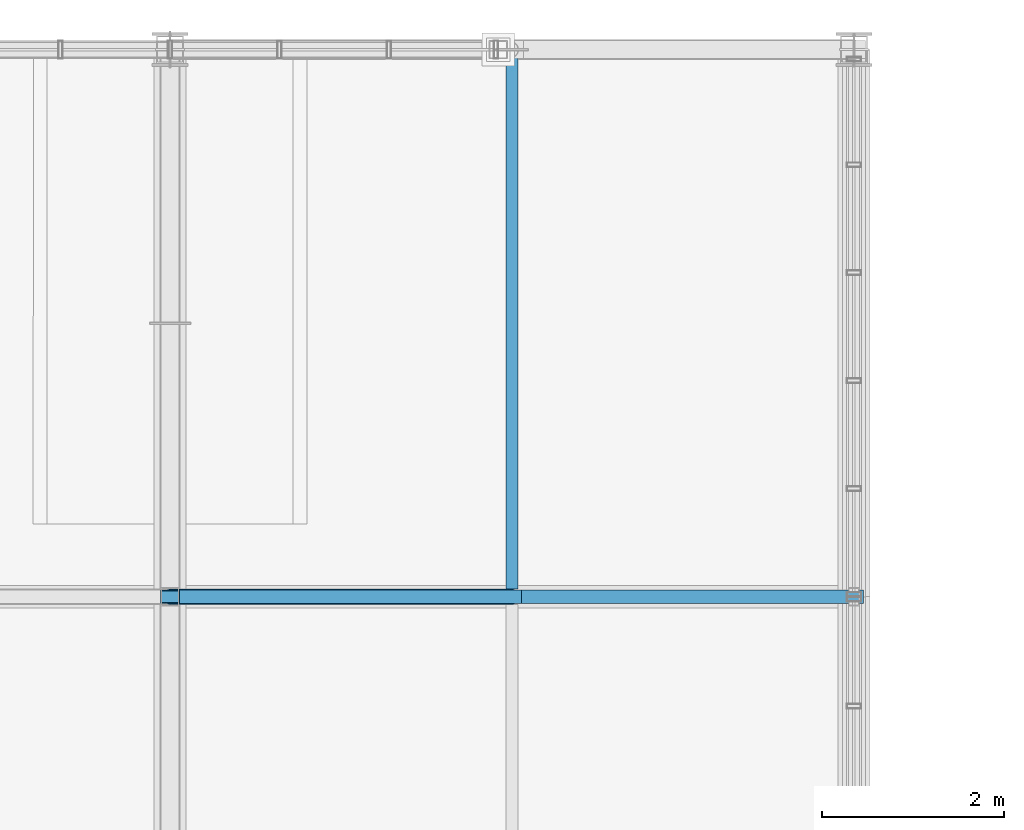
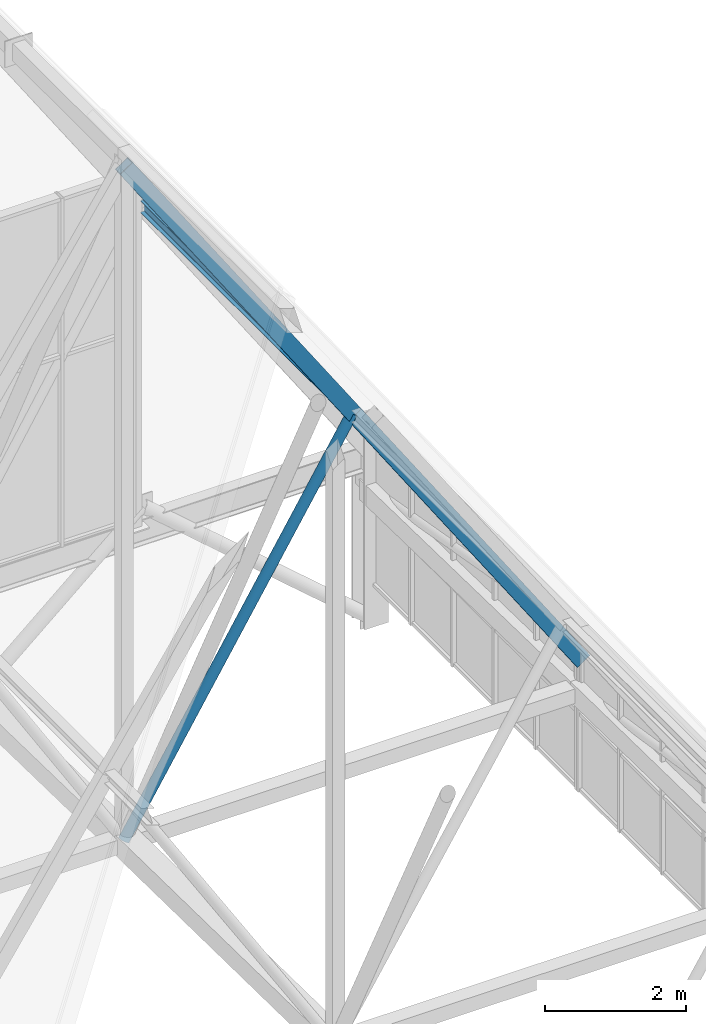
# One storey, part 241 of 324: 3 members, 1 beam.
"""IFC4 building model written with IfcOpenShell, lengths in metres."""

from ifc_helpers import new_model, si_unit, direction, frame, origin, origin_2d, place, context, subcontext, project, spatial, hollow_rectangle, hollow_circle, i_section, extrude, material, material_profile, profile_set, type_object, element, save


model = new_model("IFC4")

# Units and contexts
model_context = context("Model", 3, precision=1e-05, world=origin(), true_north=direction((0.0, 1.0)))
body_context = subcontext(model_context, "Body", "Model", "MODEL_VIEW")
ifc_project = project(units=[si_unit("LENGTHUNIT", "METRE"), si_unit("AREAUNIT", "SQUARE_METRE"), si_unit("VOLUMEUNIT", "CUBIC_METRE"), si_unit("PLANEANGLEUNIT", "RADIAN"), si_unit("MASSUNIT", "GRAM", prefix="KILO")], contexts=[model_context])

# Site, building, storey
site_placement = place(None, origin())
site = spatial("IfcSite", under=ifc_project, at=site_placement, CompositionType="ELEMENT")
building_placement = place(site_placement, origin())
building = spatial("IfcBuilding", under=site, at=building_placement, Name="Solvenia Promenade Tram Depot", CompositionType="ELEMENT")
storey_placement = place(building_placement, frame((0.0, 0.0, 4.5)))
storey = spatial("IfcBuildingStorey", under=building, at=storey_placement, Name="L01", CompositionType="ELEMENT", Elevation=4.5)

# Members
ifc_material_1 = material(Name="Structural steel ASTM A500 Gr. C", Category="steel")
ifc_material_profile_1 = material_profile(ifc_material_1, hollow_rectangle(XDim=0.14990234375, YDim=0.25, WallThickness=0.010009765625, at=origin_2d()), Name="HSS250x150x10", Category="steel")
ifc_profile_set_1 = profile_set([ifc_material_profile_1], Name="Structural steel ASTM A500 Gr. C")
member_type_1 = type_object("IfcMemberType", Name="Chord-HSS250x150x10", PredefinedType="CHORD", material=ifc_profile_set_1)
for number, where, z_axis, x_axis, name in (
    (1, (142.5, 120.0, 14.132080078125), (0.557259486914, 0.0, -0.83033840345), (0.0, 1.0, 0.0), "Zigzag Gable 10 East Upper Rafter"),
    (2, (146.25, 120.0, 8.54443359375), (0.557276274528, 0.0, -0.830327136644), (0.0, 1.0, 0.0), "Zigzag Gable 10 East Lower Rafter"),
):
    element("IfcMember", number, at=place(storey_placement, frame(where, z_axis=z_axis, x_axis=x_axis)), inside=storey, type_object=member_type_1, Name=name, PredefinedType="CHORD", context=body_context, shape_type="SweptSolid", body=[
        extrude(hollow_rectangle(XDim=0.14990234375, YDim=0.25, WallThickness=0.010009765625, at=origin_2d()), origin(), (0.0, 0.0, 1.0), 6.729248046875),
    ])

# Beam
ifc_material_2 = material(Name="Structural steel ASTM A992 Gr. 50", Category="steel")
ifc_material_profile_2 = material_profile(ifc_material_2, i_section(OverallWidth=0.133056640625, OverallDepth=0.20703125, WebThickness=0.005859375, FlangeThickness=0.00830078125, FilletRadius=0.009033203125, at=origin_2d()), Name="W200x27", Category="steel")
ifc_profile_set_2 = profile_set([ifc_material_profile_2], Name="Structural steel ASTM A992 Gr. 50")
beam_type = type_object("IfcBeamType", Name="Purlin-W200x27", PredefinedType="USERDEFINED", material=ifc_profile_set_2)
beam_placement = place(storey_placement, frame((146.25, 120.0849609375, 8.551025390625), z_axis=(0.0, 1.0, 0.0), x_axis=(-1.0, 0.0, 0.0)))
element("IfcBeam", 3, at=beam_placement, inside=storey, type_object=beam_type, Name="Gable Roof Purlin E-0200", ObjectType="PURLIN", PredefinedType="USERDEFINED", context=body_context, shape_type="SweptSolid", body=[
    extrude(i_section(OverallWidth=0.133056640625, OverallDepth=0.20703125, WebThickness=0.005859375, FlangeThickness=0.00830078125, FilletRadius=0.009033203125, at=origin_2d()), origin(), (0.0, 0.0, 1.0), 5.830078125),
])

# Member
ifc_material_profile_3 = material_profile(ifc_material_1, hollow_circle(Radius=0.084228515625, WallThickness=0.008056640625, at=origin_2d()), Name="CHS168.3x8", Category="steel")
ifc_profile_set_3 = profile_set([ifc_material_profile_3], Name="Structural steel ASTM A500 Gr. C")
member_type_2 = type_object("IfcMemberType", Name="WebDiag-CHS168x8", PredefinedType="BRACE", material=ifc_profile_set_3)
member_placement = place(storey_placement, frame((142.5, 120.0, 2.446044921875), z_axis=(0.523808186258, 0.0, 0.851836242484), x_axis=(0.0, 1.0, 0.0)))
element("IfcMember", 4, at=member_placement, inside=storey, type_object=member_type_2, Name="Zigzag Gable 10 East Knee Strut", PredefinedType="BRACE", context=body_context, shape_type="SweptSolid", body=[
    extrude(hollow_circle(Radius=0.084228515625, WallThickness=0.008056640625, at=origin_2d()), origin(), (0.0, 0.0, 1.0), 7.1591796875),
])

save(model, "model.ifc")
